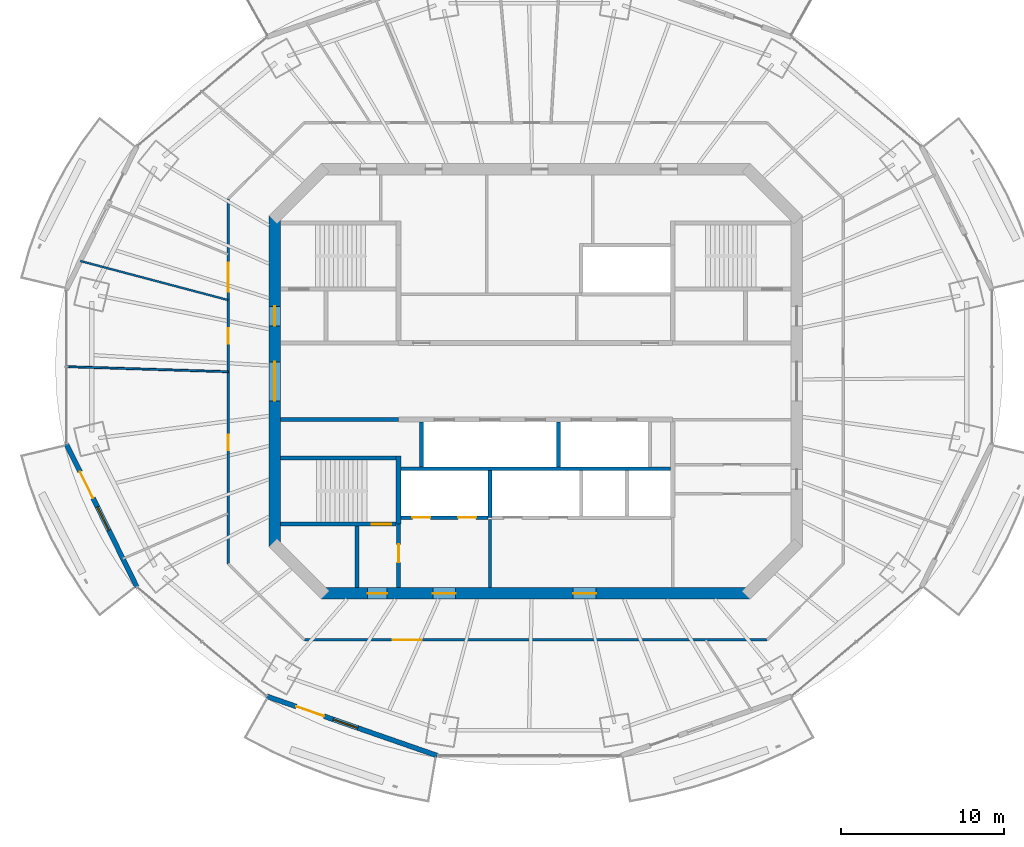
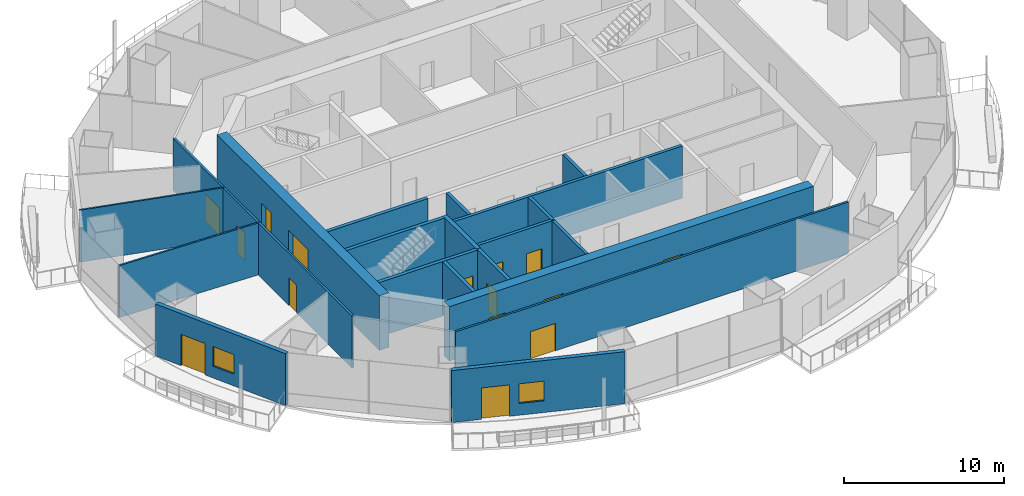
# One storey, part 8 of 16: 20 walls, 15 doors, 2 windows, 17 openings.
"""IFC4 building model written with IfcOpenShell, lengths in metres."""

from ifc_helpers import new_model, si_unit, direction, frame, frame_2d, origin, place, context, subcontext, project, spatial, rectangle, extrude, material, layer, layer_set, type_object, element, fill, save


model = new_model("IFC4")

# Units and contexts
model_context = context("Model", 3, precision=1e-05, world=origin(), true_north=direction((0.0, 1.0)))
body_context = subcontext(model_context, "Body", "Model", "MODEL_VIEW")
ifc_project = project(units=[si_unit("LENGTHUNIT", "METRE"), si_unit("AREAUNIT", "SQUARE_METRE"), si_unit("VOLUMEUNIT", "CUBIC_METRE"), si_unit("PLANEANGLEUNIT", "RADIAN"), si_unit("MASSUNIT", "GRAM", prefix="KILO")], contexts=[model_context])

# Site, building, storey
site_placement = place(None, origin())
site = spatial("IfcSite", under=ifc_project, at=site_placement, CompositionType="ELEMENT")
building_placement = place(site_placement, origin())
building = spatial("IfcBuilding", under=site, at=building_placement, Name="Marenthal Gate Tower", CompositionType="ELEMENT")
storey_placement = place(building_placement, frame((0.0, 0.0, 292.800048828125)))
storey = spatial("IfcBuildingStorey", under=building, at=storey_placement, Name="L65", CompositionType="ELEMENT", Elevation=292.800048828125)

# Wall, openings, doors
ifc_material_1 = material(Name="Concrete 60 MPa", Category="concrete")
ifc_layer_1 = layer(ifc_material_1, 0.699951171875)
ifc_layer_set_1 = layer_set([ifc_layer_1], Name="Core shear wall 700")
wall_type_1 = type_object("IfcWallType", Name="Core shear wall 700", PredefinedType="SHEAR", material=ifc_layer_set_1)
wall_1_placement = place(storey_placement, frame((-16.0, 10.14501953125, -0.179931640625), z_axis=(0.0, 0.0, 1.0), x_axis=(0.0, -1.0, 0.0)))
wall_1 = element("IfcWall", 1, at=wall_1_placement, inside=storey, type_object=wall_type_1, Name="Core wall 06", PredefinedType="SHEAR", context=body_context, shape_type="SweptSolid", body=[
    extrude(rectangle(XDim=20.2900390625, YDim=0.699951171875, at=frame_2d((10.14501953125, 0.0))), origin(), (0.0, 0.0, 1.0), 4.14990234375),
])
opening_1_placement = place(wall_1_placement, frame((8.945068359375, 0.0, 0.179931640625)))
opening_1 = element("IfcOpeningElement", 2, at=opening_1_placement, cuts=wall_1, Name="Opening D003.01", PredefinedType="OPENING", context=body_context, shape_type="SweptSolid", body=[
    extrude(rectangle(XDim=2.39990234375, YDim=2.10009765625, at=frame_2d((1.199951171875, 1.050048828125))), frame((0.0, 0.35986328125, 0.0), z_axis=(0.0, -1.0, 0.0), x_axis=(1.0, 0.0, 0.0)), (0.0, 0.0, 1.0), 0.719970703125),
])
opening_2_placement = place(wall_1_placement, frame((5.544921875, 0.0, 0.179931640625)))
opening_2 = element("IfcOpeningElement", 3, at=opening_2_placement, cuts=wall_1, Name="Opening D001.04", PredefinedType="OPENING", context=body_context, shape_type="SweptSolid", body=[
    extrude(rectangle(XDim=1.199951171875, YDim=2.10009765625, at=frame_2d((0.60009765625, 1.050048828125))), frame((0.0, 0.35986328125, 0.0), z_axis=(0.0, -1.0, 0.0), x_axis=(1.0, 0.0, 0.0)), (0.0, 0.0, 1.0), 0.719970703125),
])
ifc_material_2 = material(Name="Steel fire door", Category="steel")
door_type_1 = type_object("IfcDoorType", Name="Double fire door FD 45 2400 x 2100", OperationType="DOUBLE_DOOR_SINGLE_SWING", PredefinedType="DOOR", material=ifc_material_2)
door_1_placement = place(opening_1_placement, origin())
door_1 = element("IfcDoor", 4, at=door_1_placement, inside=storey, type_object=door_type_1, Name="Door D003.01", OperationType="DOUBLE_DOOR_SINGLE_SWING", OverallHeight=2.10009765625, OverallWidth=2.39990234375, PredefinedType="DOOR", context=body_context, shape_type="SweptSolid", body=[
    extrude(rectangle(XDim=2.39990234375, YDim=2.10009765625, at=frame_2d((1.199951171875, 1.050048828125))), frame((0.0, 0.02490234375, 0.0), z_axis=(0.0, -1.0, 0.0), x_axis=(1.0, 0.0, 0.0)), (0.0, 0.0, 1.0), 0.050048828125),
])
fill(opening_1, door_1)
ifc_material_3 = material(Name="Steel fire door", Category="steel")
door_type_2 = type_object("IfcDoorType", Name="Fire door FD 90 1200 x 2100", OperationType="NOTDEFINED", PredefinedType="DOOR", material=ifc_material_3)
door_2_placement = place(opening_2_placement, origin())
door_2 = element("IfcDoor", 5, at=door_2_placement, inside=storey, type_object=door_type_2, Name="Door D001.04", OperationType="SINGLE_SWING_RIGHT", OverallHeight=2.10009765625, OverallWidth=1.199951171875, PredefinedType="DOOR", context=body_context, shape_type="SweptSolid", body=[
    extrude(rectangle(XDim=1.199951171875, YDim=2.10009765625, at=frame_2d((0.60009765625, 1.050048828125))), frame((0.0, 0.02490234375, 0.0), z_axis=(0.0, -1.0, 0.0), x_axis=(1.0, 0.0, 0.0)), (0.0, 0.0, 1.0), 0.050048828125),
])
fill(opening_2, door_2)

wall_2_placement = place(storey_placement, frame((-13.14501953125, -13.0, -0.179931640625), z_axis=(0.0, 0.0, 1.0), x_axis=(1.0, 0.0, 0.0)))
wall_2 = element("IfcWall", 6, at=wall_2_placement, inside=storey, type_object=wall_type_1, Name="Core wall 08", PredefinedType="SHEAR", context=body_context, shape_type="SweptSolid", body=[
    extrude(rectangle(XDim=26.2900390625, YDim=0.699951171875, at=frame_2d((13.14501953125, 0.0))), origin(), (0.0, 0.0, 1.0), 4.14990234375),
])
opening_3_placement = place(wall_2_placement, frame((2.844970703125, 0.0, 0.179931640625)))
opening_3 = element("IfcOpeningElement", 7, at=opening_3_placement, cuts=wall_2, Name="Opening D001.06", PredefinedType="OPENING", context=body_context, shape_type="SweptSolid", body=[
    extrude(rectangle(XDim=1.199951171875, YDim=2.10009765625, at=frame_2d((0.60009765625, 1.050048828125))), frame((0.0, 0.35986328125, 0.0), z_axis=(0.0, -1.0, 0.0), x_axis=(1.0, 0.0, 0.0)), (0.0, 0.0, 1.0), 0.719970703125),
])
opening_4_placement = place(wall_2_placement, frame((6.844970703125, 0.0, 0.179931640625)))
opening_4 = element("IfcOpeningElement", 8, at=opening_4_placement, cuts=wall_2, Name="Opening D004.01", PredefinedType="OPENING", context=body_context, shape_type="SweptSolid", body=[
    extrude(rectangle(XDim=1.39990234375, YDim=2.10009765625, at=frame_2d((0.699951171875, 1.050048828125))), frame((0.0, 0.35986328125, 0.0), z_axis=(0.0, -1.0, 0.0), x_axis=(1.0, 0.0, 0.0)), (0.0, 0.0, 1.0), 0.719970703125),
])
opening_5_placement = place(wall_2_placement, frame((15.445068359375, 0.0, 0.179931640625)))
opening_5 = element("IfcOpeningElement", 9, at=opening_5_placement, cuts=wall_2, Name="Opening D004.02", PredefinedType="OPENING", context=body_context, shape_type="SweptSolid", body=[
    extrude(rectangle(XDim=1.39990234375, YDim=2.10009765625, at=frame_2d((0.699951171875, 1.050048828125))), frame((0.0, 0.35986328125, 0.0), z_axis=(0.0, -1.0, 0.0), x_axis=(1.0, 0.0, 0.0)), (0.0, 0.0, 1.0), 0.719970703125),
])
ifc_material_4 = material(Name="Steel fire door", Category="steel")
door_type_3 = type_object("IfcDoorType", Name="Fire door FD 45 1400 x 2100", OperationType="NOTDEFINED", PredefinedType="DOOR", material=ifc_material_4)
door_3_placement = place(opening_4_placement, origin())
door_3 = element("IfcDoor", 10, at=door_3_placement, inside=storey, type_object=door_type_3, Name="Door D004.01", OperationType="SINGLE_SWING_RIGHT", OverallHeight=2.10009765625, OverallWidth=1.39990234375, PredefinedType="DOOR", context=body_context, shape_type="SweptSolid", body=[
    extrude(rectangle(XDim=1.39990234375, YDim=2.10009765625, at=frame_2d((0.699951171875, 1.050048828125))), frame((0.0, 0.02490234375, 0.0), z_axis=(0.0, -1.0, 0.0), x_axis=(1.0, 0.0, 0.0)), (0.0, 0.0, 1.0), 0.050048828125),
])
fill(opening_4, door_3)
door_4_placement = place(opening_5_placement, origin())
door_4 = element("IfcDoor", 11, at=door_4_placement, inside=storey, type_object=door_type_3, Name="Door D004.02", OperationType="SINGLE_SWING_RIGHT", OverallHeight=2.10009765625, OverallWidth=1.39990234375, PredefinedType="DOOR", context=body_context, shape_type="SweptSolid", body=[
    extrude(rectangle(XDim=1.39990234375, YDim=2.10009765625, at=frame_2d((0.699951171875, 1.050048828125))), frame((0.0, 0.02490234375, 0.0), z_axis=(0.0, -1.0, 0.0), x_axis=(1.0, 0.0, 0.0)), (0.0, 0.0, 1.0), 0.050048828125),
])
fill(opening_5, door_4)
door_5_placement = place(opening_3_placement, origin())
door_5 = element("IfcDoor", 12, at=door_5_placement, inside=storey, type_object=door_type_2, Name="Door D001.06", OperationType="SINGLE_SWING_RIGHT", OverallHeight=2.10009765625, OverallWidth=1.199951171875, PredefinedType="DOOR", context=body_context, shape_type="SweptSolid", body=[
    extrude(rectangle(XDim=1.199951171875, YDim=2.10009765625, at=frame_2d((0.60009765625, 1.050048828125))), frame((0.0, 0.02490234375, 0.0), z_axis=(0.0, -1.0, 0.0), x_axis=(1.0, 0.0, 0.0)), (0.0, 0.0, 1.0), 0.050048828125),
])
fill(opening_3, door_5)

# Walls
ifc_material_5 = material(Name="Gypsum board on steel studs", Category="steel")
ifc_layer_2 = layer(ifc_material_5, 0.199951171875)
ifc_layer_set_2 = layer_set([ifc_layer_2], Name="Fire lobby wall 200")
wall_type_2 = type_object("IfcWallType", Name="Fire lobby wall 200", PredefinedType="PARTITIONING", material=ifc_layer_set_2)
wall_3_placement = place(storey_placement, frame((-2.800048828125, -12.64990234375, 0.0), z_axis=(0.0, 0.0, 1.0), x_axis=(0.0, 1.0, 0.0)))
element("IfcWall", 13, at=wall_3_placement, inside=storey, type_object=wall_type_2, Name="Fire wall 38", PredefinedType="PARTITIONING", context=body_context, shape_type="SweptSolid", body=[
    extrude(rectangle(XDim=4.18994140625, YDim=0.199951171875, at=frame_2d((2.094970703125, 0.0))), origin(), (0.0, 0.0, 1.0), 3.969970703125),
])
ifc_material_6 = material(Name="Concrete 50 MPa", Category="concrete")
ifc_layer_3 = layer(ifc_material_6, 0.300048828125)
ifc_layer_set_3 = layer_set([ifc_layer_3], Name="Hoistway shear wall 300")
wall_type_3 = type_object("IfcWallType", Name="Hoistway shear wall 300", PredefinedType="SHEAR", material=ifc_layer_set_3)
wall_4_placement = place(storey_placement, frame((-8.39990234375, -8.75, -0.179931640625), z_axis=(0.0, 0.0, 1.0), x_axis=(0.0, 1.0, 0.0)))
element("IfcWall", 14, at=wall_4_placement, inside=storey, type_object=wall_type_3, Name="Hoistway wall 33", PredefinedType="SHEAR", context=body_context, shape_type="SweptSolid", body=[
    extrude(rectangle(XDim=4.175048828125, YDim=0.300048828125, at=frame_2d((2.08740234375, 0.0))), origin(), (0.0, 0.0, 1.0), 4.14990234375),
])

# Wall, openings, doors
ifc_material_7 = material(Name="Concrete 40 MPa", Category="concrete")
ifc_layer_4 = layer(ifc_material_7, 0.219970703125)
ifc_layer_set_4 = layer_set([ifc_layer_4], Name="Hoistway wall 220")
wall_type_4 = type_object("IfcWallType", Name="Hoistway wall 220", PredefinedType="STANDARD", material=ifc_layer_set_4)
wall_5_placement = place(storey_placement, frame((-8.25, -8.35009765625, 0.0), z_axis=(0.0, 0.0, 1.0), x_axis=(1.0, 0.0, 0.0)))
wall_5 = element("IfcWall", 15, at=wall_5_placement, inside=storey, type_object=wall_type_4, Name="Hoistway wall 10", PredefinedType="STANDARD", context=body_context, shape_type="SweptSolid", body=[
    extrude(rectangle(XDim=5.340087890625, YDim=0.219970703125, at=frame_2d((2.669921875, 0.0))), origin(), (0.0, 0.0, 1.0), 3.969970703125),
])
opening_6_placement = place(wall_5_placement, frame((0.699951171875, 0.0, 0.0)))
opening_6 = element("IfcOpeningElement", 16, at=opening_6_placement, cuts=wall_5, Name="Opening LD-LF1", PredefinedType="OPENING", context=body_context, shape_type="SweptSolid", body=[
    extrude(rectangle(XDim=1.10009765625, YDim=2.10009765625, at=frame_2d((0.550048828125, 1.050048828125))), frame((0.0, 0.1201171875, 0.0), z_axis=(0.0, -1.0, 0.0), x_axis=(1.0, 0.0, 0.0)), (0.0, 0.0, 1.0), 0.239990234375),
])
opening_7_placement = place(wall_5_placement, frame((3.5, 0.0, 0.0)))
opening_7 = element("IfcOpeningElement", 17, at=opening_7_placement, cuts=wall_5, Name="Opening LD-LF2", PredefinedType="OPENING", context=body_context, shape_type="SweptSolid", body=[
    extrude(rectangle(XDim=1.10009765625, YDim=2.10009765625, at=frame_2d((0.550048828125, 1.050048828125))), frame((0.0, 0.1201171875, 0.0), z_axis=(0.0, -1.0, 0.0), x_axis=(1.0, 0.0, 0.0)), (0.0, 0.0, 1.0), 0.239990234375),
])
ifc_material_8 = material(Name="Stainless steel sliding door", Category="steel")
door_type_4 = type_object("IfcDoorType", Name="Lift landing door FD 90 1100 x 2100", OperationType="DOUBLE_DOOR_SLIDING", PredefinedType="DOOR", material=ifc_material_8)
door_6_placement = place(opening_6_placement, origin())
door_6 = element("IfcDoor", 18, at=door_6_placement, inside=storey, type_object=door_type_4, Name="Lift landing door LF1", OperationType="DOUBLE_DOOR_SLIDING", OverallHeight=2.10009765625, OverallWidth=1.10009765625, PredefinedType="DOOR", context=body_context, shape_type="SweptSolid", body=[
    extrude(rectangle(XDim=1.10009765625, YDim=2.10009765625, at=frame_2d((0.550048828125, 1.050048828125))), frame((0.0, 0.02490234375, 0.0), z_axis=(0.0, -1.0, 0.0), x_axis=(1.0, 0.0, 0.0)), (0.0, 0.0, 1.0), 0.050048828125),
])
fill(opening_6, door_6)
door_7_placement = place(opening_7_placement, origin())
door_7 = element("IfcDoor", 19, at=door_7_placement, inside=storey, type_object=door_type_4, Name="Lift landing door LF2", OperationType="DOUBLE_DOOR_SLIDING", OverallHeight=2.10009765625, OverallWidth=1.10009765625, PredefinedType="DOOR", context=body_context, shape_type="SweptSolid", body=[
    extrude(rectangle(XDim=1.10009765625, YDim=2.10009765625, at=frame_2d((0.550048828125, 1.050048828125))), frame((0.0, 0.02490234375, 0.0), z_axis=(0.0, -1.0, 0.0), x_axis=(1.0, 0.0, 0.0)), (0.0, 0.0, 1.0), 0.050048828125),
])
fill(opening_7, door_7)

# Walls
wall_6_placement = place(storey_placement, frame((-8.25, -5.35009765625, 0.0), z_axis=(0.0, 0.0, 1.0), x_axis=(1.0, 0.0, 0.0)))
element("IfcWall", 20, at=wall_6_placement, inside=storey, type_object=wall_type_4, Name="Hoistway wall 13", PredefinedType="STANDARD", context=body_context, shape_type="SweptSolid", body=[
    extrude(rectangle(XDim=16.5, YDim=0.219970703125, at=frame_2d((8.25, 0.0))), origin(), (0.0, 0.0, 1.0), 3.969970703125),
])
wall_7_placement = place(storey_placement, frame((-7.0, -5.239990234375, 0.0), z_axis=(0.0, 0.0, 1.0), x_axis=(0.0, 1.0, 0.0)))
element("IfcWall", 21, at=wall_7_placement, inside=storey, type_object=wall_type_4, Name="Hoistway wall 36", PredefinedType="STANDARD", context=body_context, shape_type="SweptSolid", body=[
    extrude(rectangle(XDim=2.739990234375, YDim=0.219970703125, at=frame_2d((1.3701171875, 0.0))), origin(), (0.0, 0.0, 1.0), 3.969970703125),
])
wall_8_placement = place(storey_placement, frame((-2.800048828125, -8.35009765625, 0.0), z_axis=(0.0, 0.0, 1.0), x_axis=(0.0, 1.0, 0.0)))
element("IfcWall", 22, at=wall_8_placement, inside=storey, type_object=wall_type_4, Name="Hoistway wall 39", PredefinedType="STANDARD", context=body_context, shape_type="SweptSolid", body=[
    extrude(rectangle(XDim=2.89013671875, YDim=0.219970703125, at=frame_2d((1.445068359375, 0.0))), origin(), (0.0, 0.0, 1.0), 3.969970703125),
])
wall_9_placement = place(storey_placement, frame((1.39990234375, -5.239990234375, 0.0), z_axis=(0.0, 0.0, 1.0), x_axis=(0.0, 1.0, 0.0)))
element("IfcWall", 23, at=wall_9_placement, inside=storey, type_object=wall_type_4, Name="Hoistway wall 40", PredefinedType="STANDARD", context=body_context, shape_type="SweptSolid", body=[
    extrude(rectangle(XDim=2.739990234375, YDim=0.219970703125, at=frame_2d((1.3701171875, 0.0))), origin(), (0.0, 0.0, 1.0), 3.969970703125),
])
ifc_material_9 = material(Name="Gypsum board on steel studs", Category="steel")
ifc_layer_5 = layer(ifc_material_9, 0.1201171875)
ifc_layer_set_5 = layer_set([ifc_layer_5], Name="Partition 120")
wall_type_5 = type_object("IfcWallType", Name="Partition 120", PredefinedType="PARTITIONING", material=ifc_layer_set_5)
wall_10_placement = place(storey_placement, frame((-18.85009765625, 0.58984375, 0.0), z_axis=(0.0, 0.0, 1.0), x_axis=(-0.999511114892, 0.031265495466, 0.0)))
element("IfcWall", 24, at=wall_10_placement, inside=storey, type_object=wall_type_5, Name="Partition wall 54", PredefinedType="PARTITIONING", context=body_context, shape_type="SweptSolid", body=[
    extrude(rectangle(XDim=9.9169921875, YDim=0.1201171875, at=frame_2d((4.95849609375, 0.0))), origin(), (0.0, 0.0, 1.0), 3.969970703125),
])
wall_11_placement = place(storey_placement, frame((-18.85009765625, 4.981689453125, 0.0), z_axis=(0.0, 0.0, 1.0), x_axis=(-0.96680393986, 0.255519357134, 0.0)))
element("IfcWall", 25, at=wall_11_placement, inside=storey, type_object=wall_type_5, Name="Partition wall 55", PredefinedType="PARTITIONING", context=body_context, shape_type="SweptSolid", body=[
    extrude(rectangle(XDim=9.368408203125, YDim=0.1201171875, at=frame_2d((4.68408203125, 0.0))), origin(), (0.0, 0.0, 1.0), 3.969970703125),
])

# Wall, openings, doors
ifc_material_10 = material(Name="Gypsum board on steel studs", Category="steel")
ifc_layer_6 = layer(ifc_material_10, 0.14990234375)
ifc_layer_set_6 = layer_set([ifc_layer_6], Name="Partition 150")
wall_type_6 = type_object("IfcWallType", Name="Partition 150", PredefinedType="PARTITIONING", material=ifc_layer_set_6)
wall_12_placement = place(storey_placement, frame((-18.85009765625, -11.180419921875, 0.0), z_axis=(0.0, 0.0, 1.0), x_axis=(0.0, 1.0, 0.0)))
wall_12 = element("IfcWall", 26, at=wall_12_placement, inside=storey, type_object=wall_type_6, Name="Partition wall 52", PredefinedType="PARTITIONING", context=body_context, shape_type="SweptSolid", body=[
    extrude(rectangle(XDim=22.36083984375, YDim=0.14990234375, at=frame_2d((11.180419921875, 0.0))), origin(), (0.0, 0.0, 1.0), 3.969970703125),
])
opening_8_placement = place(wall_12_placement, frame((16.659912109375, 0.0, 0.0)))
opening_8 = element("IfcOpeningElement", 27, at=opening_8_placement, cuts=wall_12, Name="Opening D014.01", PredefinedType="OPENING", context=body_context, shape_type="SweptSolid", body=[
    extrude(rectangle(XDim=1.800048828125, YDim=2.10009765625, at=frame_2d((0.89990234375, 1.050048828125))), frame((0.0, 0.0849609375, 0.0), z_axis=(0.0, -1.0, 0.0), x_axis=(1.0, 0.0, 0.0)), (0.0, 0.0, 1.0), 0.169921875),
])
opening_9_placement = place(wall_12_placement, frame((13.491943359375, 0.0, 0.0)))
opening_9 = element("IfcOpeningElement", 28, at=opening_9_placement, cuts=wall_12, Name="Opening D016.07", PredefinedType="OPENING", context=body_context, shape_type="SweptSolid", body=[
    extrude(rectangle(XDim=0.949951171875, YDim=2.10009765625, at=frame_2d((0.47509765625, 1.050048828125))), frame((0.0, 0.0849609375, 0.0), z_axis=(0.0, -1.0, 0.0), x_axis=(1.0, 0.0, 0.0)), (0.0, 0.0, 1.0), 0.169921875),
])
opening_10_placement = place(wall_12_placement, frame((6.951904296875, 0.0, 0.0)))
opening_10 = element("IfcOpeningElement", 29, at=opening_10_placement, cuts=wall_12, Name="Opening D016.08", PredefinedType="OPENING", context=body_context, shape_type="SweptSolid", body=[
    extrude(rectangle(XDim=0.949951171875, YDim=2.10009765625, at=frame_2d((0.47509765625, 1.050048828125))), frame((0.0, 0.0849609375, 0.0), z_axis=(0.0, -1.0, 0.0), x_axis=(1.0, 0.0, 0.0)), (0.0, 0.0, 1.0), 0.169921875),
])
ifc_material_11 = material(Name="Timber door", Category="wood")
door_type_5 = type_object("IfcDoorType", Name="Door 950 x 2100", OperationType="NOTDEFINED", PredefinedType="DOOR", material=ifc_material_11)
door_8_placement = place(opening_9_placement, origin())
door_8 = element("IfcDoor", 30, at=door_8_placement, inside=storey, type_object=door_type_5, Name="Door D016.07", OperationType="SINGLE_SWING_RIGHT", OverallHeight=2.10009765625, OverallWidth=0.949951171875, PredefinedType="DOOR", context=body_context, shape_type="SweptSolid", body=[
    extrude(rectangle(XDim=0.949951171875, YDim=2.10009765625, at=frame_2d((0.47509765625, 1.050048828125))), frame((0.0, 0.02490234375, 0.0), z_axis=(0.0, -1.0, 0.0), x_axis=(1.0, 0.0, 0.0)), (0.0, 0.0, 1.0), 0.050048828125),
])
fill(opening_9, door_8)
door_9_placement = place(opening_10_placement, frame((0.949951171875, 0.0, 0.0), z_axis=(0.0, 0.0, 1.0), x_axis=(-1.0, 0.0, 0.0)))
door_9 = element("IfcDoor", 31, at=door_9_placement, inside=storey, type_object=door_type_5, Name="Door D016.08", OperationType="SINGLE_SWING_LEFT", OverallHeight=2.10009765625, OverallWidth=0.949951171875, PredefinedType="DOOR", context=body_context, shape_type="SweptSolid", body=[
    extrude(rectangle(XDim=0.949951171875, YDim=2.10009765625, at=frame_2d((0.47509765625, 1.050048828125))), frame((0.0, 0.02490234375, 0.0), z_axis=(0.0, -1.0, 0.0), x_axis=(1.0, 0.0, 0.0)), (0.0, 0.0, 1.0), 0.050048828125),
])
fill(opening_10, door_9)
ifc_material_12 = material(Name="Timber door", Category="wood")
door_type_6 = type_object("IfcDoorType", Name="Double door 1800 x 2100", OperationType="DOUBLE_DOOR_SINGLE_SWING", PredefinedType="DOOR", material=ifc_material_12)
door_10_placement = place(opening_8_placement, origin())
door_10 = element("IfcDoor", 32, at=door_10_placement, inside=storey, type_object=door_type_6, Name="Door D014.01", OperationType="DOUBLE_DOOR_SINGLE_SWING", OverallHeight=2.10009765625, OverallWidth=1.800048828125, PredefinedType="DOOR", context=body_context, shape_type="SweptSolid", body=[
    extrude(rectangle(XDim=1.800048828125, YDim=2.10009765625, at=frame_2d((0.89990234375, 1.050048828125))), frame((0.0, 0.02490234375, 0.0), z_axis=(0.0, -1.0, 0.0), x_axis=(1.0, 0.0, 0.0)), (0.0, 0.0, 1.0), 0.050048828125),
])
fill(opening_8, door_10)

# Wall, opening, door
wall_13_placement = place(storey_placement, frame((14.180419921875, -15.85009765625, 0.0), z_axis=(0.0, 0.0, 1.0), x_axis=(-1.0, 0.0, 0.0)))
wall_13 = element("IfcWall", 33, at=wall_13_placement, inside=storey, type_object=wall_type_6, Name="Partition wall 66", PredefinedType="PARTITIONING", context=body_context, shape_type="SweptSolid", body=[
    extrude(rectangle(XDim=28.36083984375, YDim=0.14990234375, at=frame_2d((14.180419921875, 0.0))), origin(), (0.0, 0.0, 1.0), 3.969970703125),
])
opening_11_placement = place(wall_13_placement, frame((21.155029296875, 0.0, 0.0)))
opening_11 = element("IfcOpeningElement", 34, at=opening_11_placement, cuts=wall_13, Name="Opening D014.02", PredefinedType="OPENING", context=body_context, shape_type="SweptSolid", body=[
    extrude(rectangle(XDim=1.800048828125, YDim=2.10009765625, at=frame_2d((0.89990234375, 1.050048828125))), frame((0.0, 0.0849609375, 0.0), z_axis=(0.0, -1.0, 0.0), x_axis=(1.0, 0.0, 0.0)), (0.0, 0.0, 1.0), 0.169921875),
])
door_11_placement = place(opening_11_placement, origin())
door_11 = element("IfcDoor", 35, at=door_11_placement, inside=storey, type_object=door_type_6, Name="Door D014.02", OperationType="DOUBLE_DOOR_SINGLE_SWING", OverallHeight=2.10009765625, OverallWidth=1.800048828125, PredefinedType="DOOR", context=body_context, shape_type="SweptSolid", body=[
    extrude(rectangle(XDim=1.800048828125, YDim=2.10009765625, at=frame_2d((0.89990234375, 1.050048828125))), frame((0.0, 0.02490234375, 0.0), z_axis=(0.0, -1.0, 0.0), x_axis=(1.0, 0.0, 0.0)), (0.0, 0.0, 1.0), 0.050048828125),
])
fill(opening_11, door_11)

# Walls
ifc_material_13 = material(Name="Concrete 40 MPa", Category="concrete")
ifc_layer_7 = layer(ifc_material_13, 0.25)
ifc_layer_set_7 = layer_set([ifc_layer_7], Name="Stair enclosure wall 250")
wall_type_7 = type_object("IfcWallType", Name="Stair enclosure wall 250", PredefinedType="STANDARD", material=ifc_layer_set_7)
wall_14_placement = place(storey_placement, frame((-15.64990234375, -2.35009765625, 0.0), z_axis=(0.0, 0.0, 1.0), x_axis=(1.0, 0.0, 0.0)))
element("IfcWall", 36, at=wall_14_placement, inside=storey, type_object=wall_type_7, Name="Stair wall 16", PredefinedType="STANDARD", context=body_context, shape_type="SweptSolid", body=[
    extrude(rectangle(XDim=7.25, YDim=0.25, at=frame_2d((3.625, 0.0))), origin(), (0.0, 0.0, 1.0), 3.969970703125),
])
wall_15_placement = place(storey_placement, frame((-10.949951171875, -12.64990234375, 0.0), z_axis=(0.0, 0.0, 1.0), x_axis=(0.0, 1.0, 0.0)))
element("IfcWall", 37, at=wall_15_placement, inside=storey, type_object=wall_type_7, Name="Stair wall 30", PredefinedType="STANDARD", context=body_context, shape_type="SweptSolid", body=[
    extrude(rectangle(XDim=3.77490234375, YDim=0.25, at=frame_2d((1.887451171875, 0.0))), origin(), (0.0, 0.0, 1.0), 3.969970703125),
])

# Wall, opening, door
wall_16_placement = place(storey_placement, frame((-8.39990234375, -12.64990234375, 0.0), z_axis=(0.0, 0.0, 1.0), x_axis=(0.0, 1.0, 0.0)))
wall_16 = element("IfcWall", 38, at=wall_16_placement, inside=storey, type_object=wall_type_7, Name="Stair wall 32", PredefinedType="STANDARD", context=body_context, shape_type="SweptSolid", body=[
    extrude(rectangle(XDim=3.89990234375, YDim=0.25, at=frame_2d((1.949951171875, 0.0))), origin(), (0.0, 0.0, 1.0), 3.969970703125),
])
opening_12_placement = place(wall_16_placement, frame((1.550048828125, 0.0, 0.0)))
opening_12 = element("IfcOpeningElement", 39, at=opening_12_placement, cuts=wall_16, Name="Opening D002.01", PredefinedType="OPENING", context=body_context, shape_type="SweptSolid", body=[
    extrude(rectangle(XDim=1.10009765625, YDim=2.10009765625, at=frame_2d((0.550048828125, 1.050048828125))), frame((0.0, 0.135009765625, 0.0), z_axis=(0.0, -1.0, 0.0), x_axis=(1.0, 0.0, 0.0)), (0.0, 0.0, 1.0), 0.27001953125),
])
ifc_material_14 = material(Name="Steel fire door", Category="steel")
door_type_7 = type_object("IfcDoorType", Name="Fire door FD 90 1100 x 2100", OperationType="NOTDEFINED", PredefinedType="DOOR", material=ifc_material_14)
door_12_placement = place(opening_12_placement, origin())
door_12 = element("IfcDoor", 40, at=door_12_placement, inside=storey, type_object=door_type_7, Name="Door D002.01", OperationType="SINGLE_SWING_RIGHT", OverallHeight=2.10009765625, OverallWidth=1.10009765625, PredefinedType="DOOR", context=body_context, shape_type="SweptSolid", body=[
    extrude(rectangle(XDim=1.10009765625, YDim=2.10009765625, at=frame_2d((0.550048828125, 1.050048828125))), frame((0.0, 0.02490234375, 0.0), z_axis=(0.0, -1.0, 0.0), x_axis=(1.0, 0.0, 0.0)), (0.0, 0.0, 1.0), 0.050048828125),
])
fill(opening_12, door_12)

ifc_material_15 = material(Name="Concrete 50 MPa", Category="concrete")
ifc_layer_8 = layer(ifc_material_15, 0.25)
ifc_layer_set_8 = layer_set([ifc_layer_8], Name="Stair shear wall 250")
wall_type_8 = type_object("IfcWallType", Name="Stair shear wall 250", PredefinedType="SHEAR", material=ifc_layer_set_8)
wall_17_placement = place(storey_placement, frame((-15.64990234375, -8.75, -0.179931640625), z_axis=(0.0, 0.0, 1.0), x_axis=(1.0, 0.0, 0.0)))
wall_17 = element("IfcWall", 41, at=wall_17_placement, inside=storey, type_object=wall_type_8, Name="Stair wall 09", PredefinedType="SHEAR", context=body_context, shape_type="SweptSolid", body=[
    extrude(rectangle(XDim=7.099853515625, YDim=0.25, at=frame_2d((3.5498046875, 0.0))), origin(), (0.0, 0.0, 1.0), 4.14990234375),
])
opening_13_placement = place(wall_17_placement, frame((5.60009765625, 0.0, 0.179931640625)))
opening_13 = element("IfcOpeningElement", 42, at=opening_13_placement, cuts=wall_17, Name="Opening D001.03", PredefinedType="OPENING", context=body_context, shape_type="SweptSolid", body=[
    extrude(rectangle(XDim=1.199951171875, YDim=2.10009765625, at=frame_2d((0.60009765625, 1.050048828125))), frame((0.0, 0.135009765625, 0.0), z_axis=(0.0, -1.0, 0.0), x_axis=(1.0, 0.0, 0.0)), (0.0, 0.0, 1.0), 0.27001953125),
])
door_13_placement = place(opening_13_placement, origin())
door_13 = element("IfcDoor", 43, at=door_13_placement, inside=storey, type_object=door_type_2, Name="Door D001.03", OperationType="SINGLE_SWING_RIGHT", OverallHeight=2.10009765625, OverallWidth=1.199951171875, PredefinedType="DOOR", context=body_context, shape_type="SweptSolid", body=[
    extrude(rectangle(XDim=1.199951171875, YDim=2.10009765625, at=frame_2d((0.60009765625, 1.050048828125))), frame((0.0, 0.02490234375, 0.0), z_axis=(0.0, -1.0, 0.0), x_axis=(1.0, 0.0, 0.0)), (0.0, 0.0, 1.0), 0.050048828125),
])
fill(opening_13, door_13)

# Wall
wall_18_placement = place(storey_placement, frame((-15.64990234375, -4.699951171875, -0.179931640625), z_axis=(0.0, 0.0, 1.0), x_axis=(1.0, 0.0, 0.0)))
element("IfcWall", 44, at=wall_18_placement, inside=storey, type_object=wall_type_8, Name="Stair wall 15", PredefinedType="SHEAR", context=body_context, shape_type="SweptSolid", body=[
    extrude(rectangle(XDim=7.099853515625, YDim=0.25, at=frame_2d((3.5498046875, 0.0))), origin(), (0.0, 0.0, 1.0), 4.14990234375),
])

# Wall, openings, door, window
ifc_material_16 = material(Name="Terracotta cladding on insulated concrete-block backing", Category="masonry")
ifc_layer_9 = layer(ifc_material_16, 0.300048828125)
ifc_layer_set_9 = layer_set([ifc_layer_9], Name="Terracotta facade wall 300")
wall_type_9 = type_object("IfcWallType", Name="Terracotta facade wall 300", PredefinedType="SOLIDWALL", material=ifc_layer_set_9)
wall_19_placement = place(storey_placement, frame((-28.76220703125, -3.84130859375, 0.0), z_axis=(0.0, 0.0, 1.0), x_axis=(0.442086999908, -0.896972175997, 0.0)))
wall_19 = element("IfcWall", 45, at=wall_19_placement, inside=storey, type_object=wall_type_9, Name="Terracotta facade wall L65 bay 9", PredefinedType="SOLIDWALL", context=body_context, shape_type="SweptSolid", body=[
    extrude(rectangle(XDim=9.76708984375, YDim=0.300048828125, at=frame_2d((4.883544921875, 0.0))), origin(), (0.0, 0.0, 1.0), 3.969970703125),
])
opening_14_placement = place(wall_19_placement, frame((1.89990234375, 0.0, 0.0)))
opening_14 = element("IfcOpeningElement", 46, at=opening_14_placement, cuts=wall_19, Name="Opening BD-L65-09", PredefinedType="OPENING", context=body_context, shape_type="SweptSolid", body=[
    extrude(rectangle(XDim=1.800048828125, YDim=2.39990234375, at=frame_2d((0.89990234375, 1.199951171875))), frame((0.0, 0.16015625, 0.0), z_axis=(0.0, -1.0, 0.0), x_axis=(1.0, 0.0, 0.0)), (0.0, 0.0, 1.0), 0.320068359375),
])
opening_15_placement = place(wall_19_placement, frame((4.300048828125, 0.0, 0.89990234375)))
opening_15 = element("IfcOpeningElement", 47, at=opening_15_placement, cuts=wall_19, Name="Opening WN3-L65-09", PredefinedType="OPENING", context=body_context, shape_type="SweptSolid", body=[
    extrude(rectangle(XDim=1.60009765625, YDim=1.5, at=frame_2d((0.800048828125, 0.75))), frame((0.0, 0.16015625, 0.0), z_axis=(0.0, -1.0, 0.0), x_axis=(1.0, 0.0, 0.0)), (0.0, 0.0, 1.0), 0.320068359375),
])
ifc_material_17 = material(Name="Aluminium and glass", Category="aluminium")
door_type_8 = type_object("IfcDoorType", Name="Balcony door 1800x2400", OperationType="DOUBLE_DOOR_SINGLE_SWING", PredefinedType="DOOR", material=ifc_material_17)
door_14_placement = place(opening_14_placement, origin())
door_14 = element("IfcDoor", 48, at=door_14_placement, inside=storey, type_object=door_type_8, Name="Balcony door L65 bay 9", OperationType="SINGLE_SWING_LEFT", OverallHeight=2.39990234375, OverallWidth=1.800048828125, PredefinedType="DOOR", context=body_context, shape_type="SweptSolid", body=[
    extrude(rectangle(XDim=1.800048828125, YDim=2.39990234375, at=frame_2d((0.89990234375, 1.199951171875))), frame((0.0, 0.02490234375, 0.0), z_axis=(0.0, -1.0, 0.0), x_axis=(1.0, 0.0, 0.0)), (0.0, 0.0, 1.0), 0.050048828125),
])
fill(opening_14, door_14)
ifc_material_18 = material(Name="Aluminium and glass", Category="aluminium")
window_type = type_object("IfcWindowType", Name="Window 1600x1500", PartitioningType="DOUBLE_PANEL_VERTICAL", PredefinedType="WINDOW", material=ifc_material_18)
window_1_placement = place(opening_15_placement, origin())
window_1 = element("IfcWindow", 49, at=window_1_placement, inside=storey, type_object=window_type, Name="Window L65 bay 9", OverallHeight=1.5, OverallWidth=1.60009765625, PartitioningType="SINGLE_PANEL", PredefinedType="WINDOW", context=body_context, shape_type="SweptSolid", body=[
    extrude(rectangle(XDim=1.60009765625, YDim=1.5, at=frame_2d((0.800048828125, 0.75))), frame((0.0, 0.030029296875, 0.0), z_axis=(0.0, -1.0, 0.0), x_axis=(1.0, 0.0, 0.0)), (0.0, 0.0, 1.0), 0.06005859375),
])
fill(opening_15, window_1)

wall_20_placement = place(storey_placement, frame((-16.466064453125, -19.30712890625, 0.0), z_axis=(0.0, 0.0, 1.0), x_axis=(0.94441082719, -0.328767683155, 0.0)))
wall_20 = element("IfcWall", 50, at=wall_20_placement, inside=storey, type_object=wall_type_9, Name="Terracotta facade wall L65 bay 11", PredefinedType="SOLIDWALL", context=body_context, shape_type="SweptSolid", body=[
    extrude(rectangle(XDim=11.037841796875, YDim=0.300048828125, at=frame_2d((5.51904296875, 0.0))), origin(), (0.0, 0.0, 1.0), 3.969970703125),
])
opening_16_placement = place(wall_20_placement, frame((1.89990234375, 0.0, 0.0)))
opening_16 = element("IfcOpeningElement", 51, at=opening_16_placement, cuts=wall_20, Name="Opening BD-L65-11", PredefinedType="OPENING", context=body_context, shape_type="SweptSolid", body=[
    extrude(rectangle(XDim=1.800048828125, YDim=2.39990234375, at=frame_2d((0.89990234375, 1.199951171875))), frame((0.0, 0.16015625, 0.0), z_axis=(0.0, -1.0, 0.0), x_axis=(1.0, 0.0, 0.0)), (0.0, 0.0, 1.0), 0.320068359375),
])
opening_17_placement = place(wall_20_placement, frame((4.300048828125, 0.0, 0.89990234375)))
opening_17 = element("IfcOpeningElement", 52, at=opening_17_placement, cuts=wall_20, Name="Opening WN3-L65-11", PredefinedType="OPENING", context=body_context, shape_type="SweptSolid", body=[
    extrude(rectangle(XDim=1.60009765625, YDim=1.5, at=frame_2d((0.800048828125, 0.75))), frame((0.0, 0.16015625, 0.0), z_axis=(0.0, -1.0, 0.0), x_axis=(1.0, 0.0, 0.0)), (0.0, 0.0, 1.0), 0.320068359375),
])
door_15_placement = place(opening_16_placement, origin())
door_15 = element("IfcDoor", 53, at=door_15_placement, inside=storey, type_object=door_type_8, Name="Balcony door L65 bay 11", OperationType="SINGLE_SWING_LEFT", OverallHeight=2.39990234375, OverallWidth=1.800048828125, PredefinedType="DOOR", context=body_context, shape_type="SweptSolid", body=[
    extrude(rectangle(XDim=1.800048828125, YDim=2.39990234375, at=frame_2d((0.89990234375, 1.199951171875))), frame((0.0, 0.02490234375, 0.0), z_axis=(0.0, -1.0, 0.0), x_axis=(1.0, 0.0, 0.0)), (0.0, 0.0, 1.0), 0.050048828125),
])
fill(opening_16, door_15)
window_2_placement = place(opening_17_placement, origin())
window_2 = element("IfcWindow", 54, at=window_2_placement, inside=storey, type_object=window_type, Name="Window L65 bay 11", OverallHeight=1.5, OverallWidth=1.60009765625, PartitioningType="SINGLE_PANEL", PredefinedType="WINDOW", context=body_context, shape_type="SweptSolid", body=[
    extrude(rectangle(XDim=1.60009765625, YDim=1.5, at=frame_2d((0.800048828125, 0.75))), frame((0.0, 0.030029296875, 0.0), z_axis=(0.0, -1.0, 0.0), x_axis=(1.0, 0.0, 0.0)), (0.0, 0.0, 1.0), 0.06005859375),
])
fill(opening_17, window_2)

save(model, "model.ifc")
